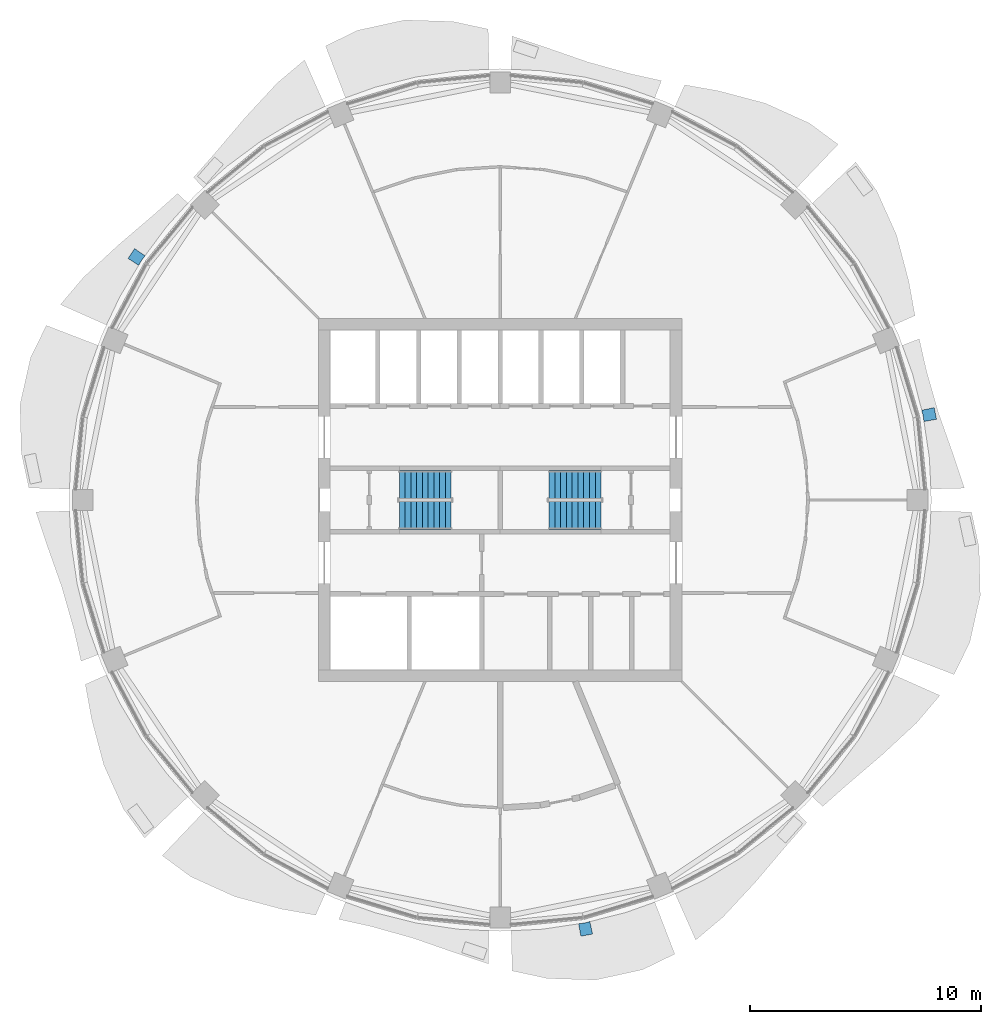
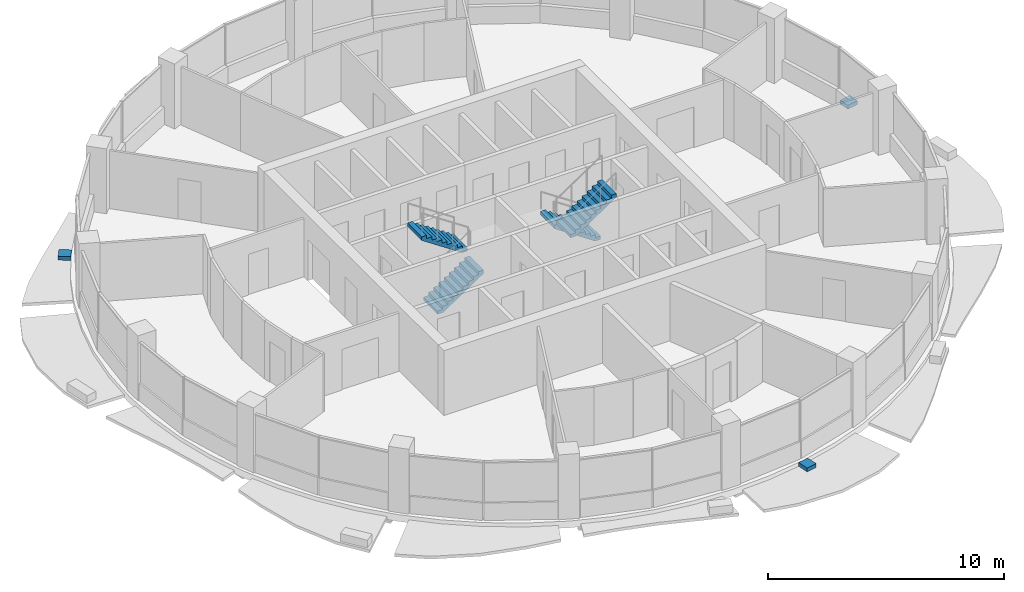
# One storey, part 11 of 15: 4 stair flights, 3 discrete accessories, 2 elements without a shape of their own.
"""IFC4 building model written with IfcOpenShell, lengths in metres."""

import ifcopenshell
import ifcopenshell.guid

model = None  # the IFC model being written
_history = None  # IfcOwnerHistory: only IFC2X3 demands one
_inside = {}  # id of a spatial element -> (the spatial element, [elements in it])
_under = {}  # id of a project, library or spatial element -> (it, [spatial elements below it])
_declared = {}  # id of a project -> (the project, [libraries it declares])
_typed = {}  # id of a type object -> (the type object, [elements of that type])
_made_of = {}  # id of a material, layer set ... -> (it, [elements and type objects made of it])


def new_model(schema):
    """Start an empty IFC model of exactly this schema.

    Asked for "IFC4X3", IfcOpenShell would pick the latest addendum, in which some entities
    have other attributes; the version numbers below select the first issue.
    IFC2X3 requires an IfcOwnerHistory on every rooted entity: one is made here for all.
    """
    global model, _history
    if schema == "IFC4X3":
        model = ifcopenshell.file(schema_version=(4, 3, 0, 0))
    else:
        model = ifcopenshell.file(schema=schema)
    _inside.clear()
    _under.clear()
    _declared.clear()
    _typed.clear()
    _made_of.clear()
    _history = None
    if model.schema == "IFC2X3":
        org = make("IfcOrganization", Name="unknown")
        user = make(
            "IfcPersonAndOrganization",
            ThePerson=make("IfcPerson", FamilyName="unknown"),
            TheOrganization=org,
        )
        app = make(
            "IfcApplication",
            ApplicationDeveloper=org,
            Version="unknown",
            ApplicationFullName="unknown",
            ApplicationIdentifier="unknown",
        )
        _history = make(
            "IfcOwnerHistory",
            OwningUser=user,
            OwningApplication=app,
            ChangeAction="ADDED",
            CreationDate=0,
        )
    return model


def make(cls, **values):
    """One entity of the class cls with the attributes given. An attribute that is None is left unset."""
    return model.create_entity(
        cls, **{name: value for name, value in values.items() if value is not None}
    )


def rooted(cls, **values):
    """An entity with a GlobalId (a new one), such as an element, a storey or a relation."""
    return make(cls, GlobalId=ifcopenshell.guid.new(), OwnerHistory=_history, **values)


def si_unit(unit_type, name, prefix=None):
    """IfcSIUnit, for example si_unit("LENGTHUNIT", "METRE", prefix="MILLI")."""
    return make("IfcSIUnit", UnitType=unit_type, Prefix=prefix, Name=name)


def assignment(units):
    """IfcUnitAssignment: the units of a project."""
    return None if units is None else make("IfcUnitAssignment", Units=units)


def point(xyz):
    """IfcCartesianPoint."""
    return None if xyz is None else make("IfcCartesianPoint", Coordinates=xyz)


def direction(xyz):
    """IfcDirection."""
    return None if xyz is None else make("IfcDirection", DirectionRatios=xyz)


def frame(location, z_axis=None, x_axis=None):
    """IfcAxis2Placement3D, a coordinate frame: its origin and axes. An axis left out is left unset."""
    return make(
        "IfcAxis2Placement3D",
        Location=point(location),
        Axis=direction(z_axis),
        RefDirection=direction(x_axis),
    )


def origin():
    """The frame at (0, 0, 0) with its axes left unset."""
    return frame((0.0, 0.0, 0.0))


def place(relative_to, where):
    """IfcLocalPlacement: puts the frame where relative to a parent placement (None: the world)."""
    return make(
        "IfcLocalPlacement", PlacementRelTo=relative_to, RelativePlacement=where
    )


def context(
    kind, dimensions, precision=None, world=None, true_north=None, identifier=None
):
    """IfcGeometricRepresentationContext, for example the 3D "Model" context."""
    return make(
        "IfcGeometricRepresentationContext",
        ContextIdentifier=identifier,
        ContextType=kind,
        CoordinateSpaceDimension=dimensions,
        Precision=precision,
        WorldCoordinateSystem=world,
        TrueNorth=true_north,
    )


def subcontext(parent, identifier, kind, view, scale=None):
    """IfcGeometricRepresentationSubContext, for example "Body" below "Model"."""
    return make(
        "IfcGeometricRepresentationSubContext",
        ContextIdentifier=identifier,
        ContextType=kind,
        ParentContext=parent,
        TargetScale=scale,
        TargetView=view,
    )


def project(units=None, contexts=None):
    """IfcProject with its units and contexts."""
    return rooted(
        "IfcProject",
        Name="project",
        RepresentationContexts=contexts,
        UnitsInContext=assignment(units),
    )


def spatial(cls, under=None, at=None, **own):
    """A site, building, storey or space (cls), placed at a placement, below another one or the project."""
    s = rooted(cls, ObjectPlacement=at, **own)
    if under is not None:
        _under.setdefault(under.id(), (under, []))[1].append(s)
    return s


def polyline(points):
    """IfcPolyline through the points."""
    return make("IfcPolyline", Points=[point(p) for p in points])


def outline(outer, holes=None, kind="AREA"):
    """IfcArbitraryClosedProfileDef: a profile drawn as a closed curve; with holes, ...WithVoids."""
    if holes is None:
        return make("IfcArbitraryClosedProfileDef", ProfileType=kind, OuterCurve=outer)
    return make(
        "IfcArbitraryProfileDefWithVoids",
        ProfileType=kind,
        OuterCurve=outer,
        InnerCurves=holes,
    )


def extrude(swept, where, along, depth):
    """IfcExtrudedAreaSolid: the profile swept, set in the frame where, extruded along a direction by depth."""
    return make(
        "IfcExtrudedAreaSolid",
        SweptArea=swept,
        Position=where,
        ExtrudedDirection=direction(along),
        Depth=depth,
    )


def shape(context_of_items, identifier, shape_type, items):
    """IfcShapeRepresentation: the items that make up one representation, for example the "Body"."""
    return make(
        "IfcShapeRepresentation",
        ContextOfItems=context_of_items,
        RepresentationIdentifier=identifier,
        RepresentationType=shape_type,
        Items=items,
    )


def material(Name=None, Category=None):
    """IfcMaterial."""
    return make("IfcMaterial", Name=Name, Category=Category)


def made_of(thing, what):
    """Note that an element or type object is made of a material, layer set ...; save() writes the relation."""
    if what is not None:
        _made_of.setdefault(what.id(), (what, []))[1].append(thing)
    return thing


def type_object(cls, material=None, **own):
    """A type object (cls), such as IfcWallType, which elements share."""
    return made_of(rooted(cls, **own), material)


def element(
    cls,
    number,
    at=None,
    inside=None,
    cuts=None,
    type_object=None,
    material=None,
    context=None,
    identifier="Body",
    shape_type=None,
    held_by="IfcProductDefinitionShape",
    body=None,
    shapes=None,
    **own,
):
    """One element of the class cls, such as IfcWall. Its Tag is "e" and its number.

    at: its placement. inside: the storey or other place that contains it. cuts: it is an
    opening in that element (IfcRelVoidsElement). A single representation is given by context,
    identifier, shape_type and body (its items); several are given by shapes. held_by: the class
    of the entity that holds the representations. save() writes the other relations.
    """
    e = rooted(cls, Tag="e%d" % number, ObjectPlacement=at, **own)
    if body is not None:
        shapes = [shape(context, identifier, shape_type, body)]
    if shapes is not None:
        e.Representation = make(held_by, Representations=shapes)
    if inside is not None:
        _inside.setdefault(inside.id(), (inside, []))[1].append(e)
    if cuts is not None:
        rooted(
            "IfcRelVoidsElement", RelatingBuildingElement=cuts, RelatedOpeningElement=e
        )
    if type_object is not None:
        _typed.setdefault(type_object.id(), (type_object, []))[1].append(e)
    return made_of(e, material)


def aggregate(whole, parts):
    """IfcRelAggregates: a whole, such as a stair, and the parts it consists of."""
    return rooted("IfcRelAggregates", RelatingObject=whole, RelatedObjects=parts)


def save(model, path):
    """Write the relations noted so far, then the file.

    IfcRelAggregates (storeys below a building ...), IfcRelContainedInSpatialStructure (elements
    in a storey), IfcRelDefinesByType, IfcRelAssociatesMaterial and IfcRelDeclares: one each for
    every whole, place, type object, material and project.
    """
    for whole, parts in _under.values():
        aggregate(whole, parts)
    for where, things in _inside.values():
        rooted(
            "IfcRelContainedInSpatialStructure",
            RelatedElements=things,
            RelatingStructure=where,
        )
    for kind, things in _typed.values():
        rooted("IfcRelDefinesByType", RelatedObjects=things, RelatingType=kind)
    for what, things in _made_of.values():
        rooted("IfcRelAssociatesMaterial", RelatedObjects=things, RelatingMaterial=what)
    for by, libraries in _declared.values():
        rooted("IfcRelDeclares", RelatingContext=by, RelatedDefinitions=libraries)
    model.write(path)


model = new_model("IFC4")

# Units and contexts
model_context = context("Model", 3, precision=1e-05, world=origin(), true_north=direction((0.0, 1.0)))
body_context = subcontext(model_context, "Body", "Model", "MODEL_VIEW")
ifc_project = project(units=[si_unit("LENGTHUNIT", "METRE"), si_unit("AREAUNIT", "SQUARE_METRE"), si_unit("VOLUMEUNIT", "CUBIC_METRE"), si_unit("PLANEANGLEUNIT", "RADIAN"), si_unit("MASSUNIT", "GRAM", prefix="KILO")], contexts=[model_context])

# Site, building, storey
site_placement = place(None, origin())
site = spatial("IfcSite", under=ifc_project, at=site_placement, CompositionType="ELEMENT")
building_placement = place(site_placement, origin())
building = spatial("IfcBuilding", under=site, at=building_placement, Name="Polderwave Tower", CompositionType="ELEMENT")
storey_placement = place(building_placement, frame((0.0, 0.0, 170.89990234375)))
storey = spatial("IfcBuildingStorey", under=building, at=storey_placement, Name="L45", CompositionType="ELEMENT", Elevation=170.89990234375)

# Stair, stair flights
ifc_material_1 = material(Name="Concrete C40/50", Category="concrete")
stair_type = type_object("IfcStairType", Name="Exit stair 1200 x 20 risers", PredefinedType="HALF_TURN_STAIR", material=ifc_material_1)
stair_1_placement = place(storey_placement, origin())
stair_1 = element("IfcStair", 1, at=stair_1_placement, inside=storey, type_object=stair_type, Name="L45 Exit stair A", PredefinedType="HALF_TURN_STAIR")
stair_flight_type = type_object("IfcStairFlightType", Name="Stair flight 1200", PredefinedType="STRAIGHT", material=ifc_material_1)
stair_flight_1_placement = place(storey_placement, frame((-4.3740234375, -0.675048828125, 0.0), z_axis=(0.0, 0.0, 1.0), x_axis=(1.0, 0.0, 0.0)))
stair_flight_1 = element("IfcStairFlight", 2, at=stair_flight_1_placement, type_object=stair_flight_type, Name="ST-A flight 1", NumberOfRisers=10, NumberOfTreads=9, PredefinedType="STRAIGHT", RiserHeight=0.1675, TreadLength=0.25, context=body_context, shape_type="SweptSolid", body=[
    extrude(outline(polyline([(0.0, 0.0), (0.0, 0.16748046875), (0.25, 0.16748046875), (0.25, 0.3349609375), (0.5, 0.3349609375), (0.5, 0.50244140625), (0.75, 0.50244140625), (0.75, 0.669921875), (1.0, 0.669921875), (1.0, 0.83740234375), (1.25, 0.83740234375), (1.25, 1.0048828125), (1.5, 1.0048828125), (1.5, 1.172607421875), (1.75, 1.172607421875), (1.75, 1.340087890625), (2.0, 1.340087890625), (2.0, 1.507568359375), (2.25, 1.507568359375), (2.25, 1.675048828125), (2.25, 1.3271484375), (0.269287109375, 0.0), (0.0, 0.0)])), frame((0.0, 0.60009765625, 0.0), z_axis=(0.0, -1.0, 0.0), x_axis=(1.0, 0.0, 0.0)), (0.0, 0.0, 1.0), 1.199951171875),
])
stair_flight_2_placement = place(storey_placement, frame((-2.1240234375, 0.675048828125, 1.675048828125), z_axis=(0.0, 0.0, 1.0), x_axis=(-1.0, 0.0, 0.0)))
stair_flight_2 = element("IfcStairFlight", 3, at=stair_flight_2_placement, type_object=stair_flight_type, Name="ST-A flight 2", NumberOfRisers=10, NumberOfTreads=9, PredefinedType="STRAIGHT", RiserHeight=0.1675, TreadLength=0.25, context=body_context, shape_type="SweptSolid", body=[
    extrude(outline(polyline([(0.0, 0.0), (0.0, 0.16748046875), (0.25, 0.16748046875), (0.25, 0.3349609375), (0.5, 0.3349609375), (0.5, 0.50244140625), (0.75, 0.50244140625), (0.75, 0.669921875), (1.0, 0.669921875), (1.0, 0.83740234375), (1.25, 0.83740234375), (1.25, 1.0048828125), (1.5, 1.0048828125), (1.5, 1.172607421875), (1.75, 1.172607421875), (1.75, 1.340087890625), (2.0, 1.340087890625), (2.0, 1.507568359375), (2.25, 1.507568359375), (2.25, 1.675048828125), (2.25, 1.3271484375), (0.269287109375, 0.0), (0.0, 0.0)])), frame((0.0, 0.60009765625, 0.0), z_axis=(0.0, -1.0, 0.0), x_axis=(1.0, 0.0, 0.0)), (0.0, 0.0, 1.0), 1.199951171875),
])
aggregate(stair_1, [stair_flight_1, stair_flight_2])

stair_2_placement = place(storey_placement, origin())
stair_2 = element("IfcStair", 4, at=stair_2_placement, inside=storey, type_object=stair_type, Name="L45 Exit stair B", PredefinedType="HALF_TURN_STAIR")
stair_flight_3_placement = place(storey_placement, frame((4.3740234375, 0.675048828125, 0.0), z_axis=(0.0, 0.0, 1.0), x_axis=(-1.0, 0.0, 0.0)))
stair_flight_3 = element("IfcStairFlight", 5, at=stair_flight_3_placement, type_object=stair_flight_type, Name="ST-B flight 1", NumberOfRisers=10, NumberOfTreads=9, PredefinedType="STRAIGHT", RiserHeight=0.1675, TreadLength=0.25, context=body_context, shape_type="SweptSolid", body=[
    extrude(outline(polyline([(0.0, 0.0), (0.0, 0.16748046875), (0.25, 0.16748046875), (0.25, 0.3349609375), (0.5, 0.3349609375), (0.5, 0.50244140625), (0.75, 0.50244140625), (0.75, 0.669921875), (1.0, 0.669921875), (1.0, 0.83740234375), (1.25, 0.83740234375), (1.25, 1.0048828125), (1.5, 1.0048828125), (1.5, 1.172607421875), (1.75, 1.172607421875), (1.75, 1.340087890625), (2.0, 1.340087890625), (2.0, 1.507568359375), (2.25, 1.507568359375), (2.25, 1.675048828125), (2.25, 1.3271484375), (0.269287109375, 0.0), (0.0, 0.0)])), frame((0.0, 0.60009765625, 0.0), z_axis=(0.0, -1.0, 0.0), x_axis=(1.0, 0.0, 0.0)), (0.0, 0.0, 1.0), 1.199951171875),
])
stair_flight_4_placement = place(storey_placement, frame((2.1240234375, -0.675048828125, 1.675048828125), z_axis=(0.0, 0.0, 1.0), x_axis=(1.0, 0.0, 0.0)))
stair_flight_4 = element("IfcStairFlight", 6, at=stair_flight_4_placement, type_object=stair_flight_type, Name="ST-B flight 2", NumberOfRisers=10, NumberOfTreads=9, PredefinedType="STRAIGHT", RiserHeight=0.1675, TreadLength=0.25, context=body_context, shape_type="SweptSolid", body=[
    extrude(outline(polyline([(0.0, 0.0), (0.0, 0.16748046875), (0.25, 0.16748046875), (0.25, 0.3349609375), (0.5, 0.3349609375), (0.5, 0.50244140625), (0.75, 0.50244140625), (0.75, 0.669921875), (1.0, 0.669921875), (1.0, 0.83740234375), (1.25, 0.83740234375), (1.25, 1.0048828125), (1.5, 1.0048828125), (1.5, 1.172607421875), (1.75, 1.172607421875), (1.75, 1.340087890625), (2.0, 1.340087890625), (2.0, 1.507568359375), (2.25, 1.507568359375), (2.25, 1.675048828125), (2.25, 1.3271484375), (0.269287109375, 0.0), (0.0, 0.0)])), frame((0.0, 0.60009765625, 0.0), z_axis=(0.0, -1.0, 0.0), x_axis=(1.0, 0.0, 0.0)), (0.0, 0.0, 1.0), 1.199951171875),
])
aggregate(stair_2, [stair_flight_3, stair_flight_4])

# Discrete accessories
ifc_material_2 = material(Name="Steel S355", Category="steel")
discrete_accessory_type = type_object("IfcDiscreteAccessoryType", Name="Band bracket pad", PredefinedType="BRACKET", material=ifc_material_2)
discrete_accessory_1_placement = place(storey_placement, frame((0.0, 0.0, -0.199951171875)))
element("IfcDiscreteAccessory", 7, at=discrete_accessory_1_placement, inside=storey, type_object=discrete_accessory_type, Name="Band bracket L45 1", PredefinedType="BRACKET", context=body_context, shape_type="SweptSolid", body=[
    extrude(outline(polyline([(18.37744140625, 3.40087890625), (18.3408203125, 3.648193359375), (18.27978515625, 3.890625), (18.81787109375, 4.005126953125), (18.918212890625, 3.5009765625), (18.37744140625, 3.40087890625)])), origin(), (0.0, 0.0, 1.0), 0.199951171875),
])
discrete_accessory_2_placement = place(storey_placement, frame((0.0, 0.0, -0.199951171875)))
element("IfcDiscreteAccessory", 8, at=discrete_accessory_2_placement, inside=storey, type_object=discrete_accessory_type, Name="Band bracket L45 7", PredefinedType="BRACKET", context=body_context, shape_type="SweptSolid", body=[
    extrude(outline(polyline([(-15.399658203125, 10.590087890625), (-15.548583984375, 10.38916015625), (-15.677001953125, 10.1748046875), (-16.138427734375, 10.47412109375), (-15.852783203125, 10.901611328125), (-15.399658203125, 10.590087890625)])), origin(), (0.0, 0.0, 1.0), 0.199951171875),
])
discrete_accessory_3_placement = place(storey_placement, frame((0.0, 0.0, -0.199951171875)))
element("IfcDiscreteAccessory", 9, at=discrete_accessory_3_placement, inside=storey, type_object=discrete_accessory_type, Name="Band bracket L45 13", PredefinedType="BRACKET", context=body_context, shape_type="SweptSolid", body=[
    extrude(outline(polyline([(3.40087890625, -18.37744140625), (3.648193359375, -18.3408203125), (3.890625, -18.27978515625), (4.005126953125, -18.81787109375), (3.5009765625, -18.918212890625), (3.40087890625, -18.37744140625)])), origin(), (0.0, 0.0, 1.0), 0.199951171875),
])

save(model, "model.ifc")
